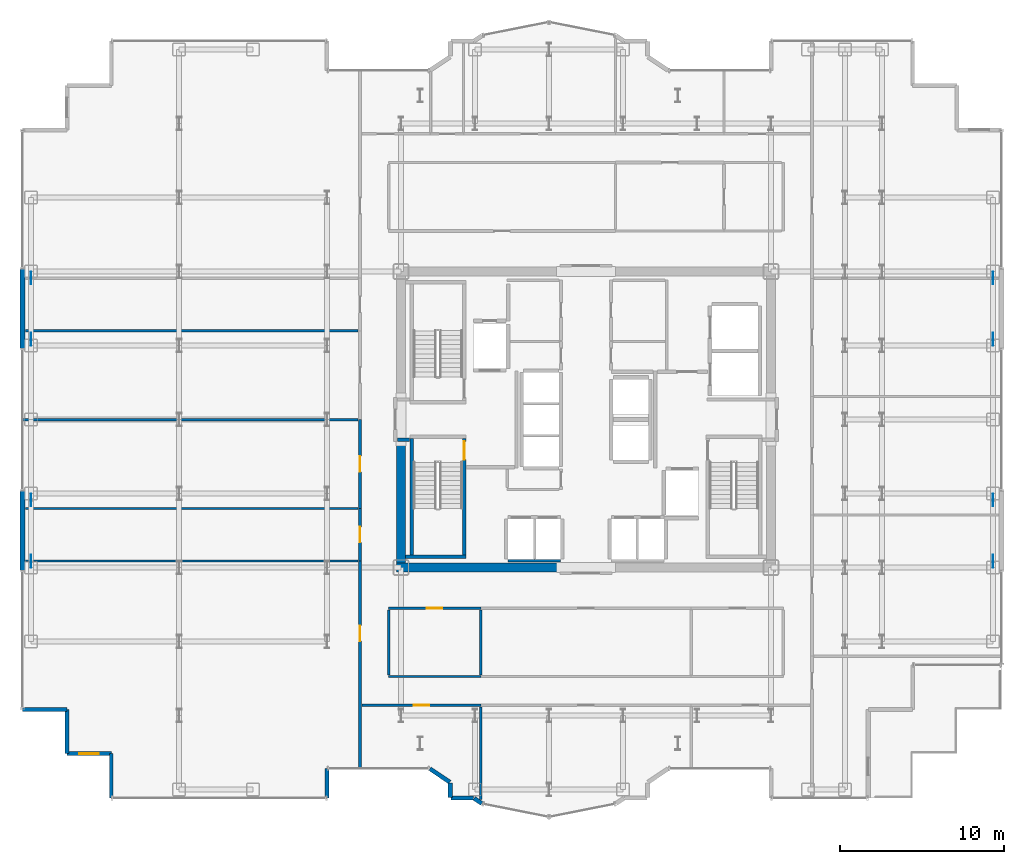
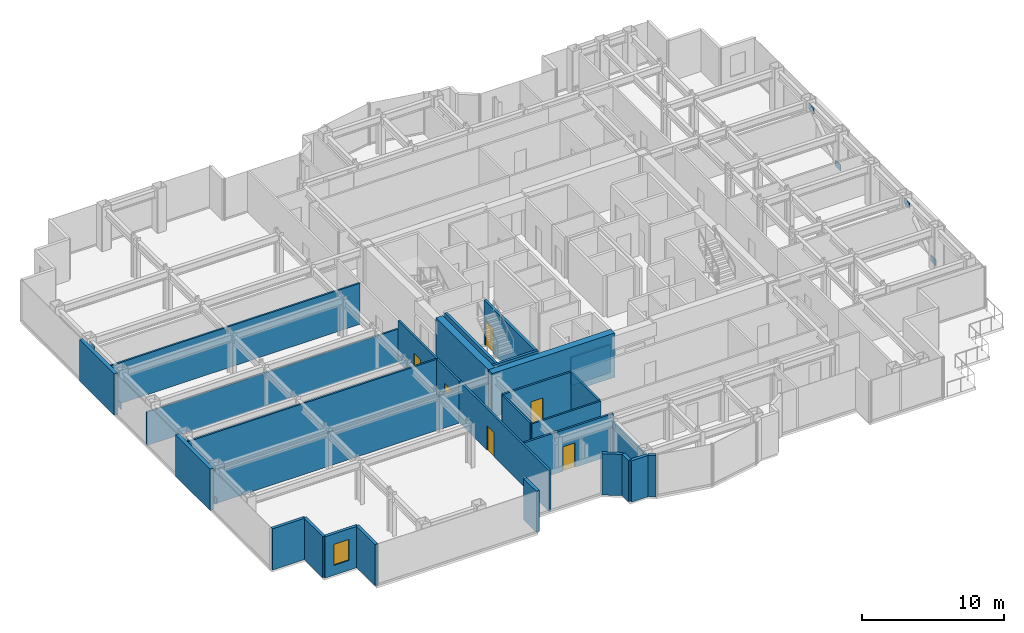
# One storey, part 20 of 27: 31 walls, 8 plates, 6 doors, 1 window, 7 openings.
"""IFC4 building model written with IfcOpenShell, lengths in metres."""

from ifc_helpers import new_model, si_unit, direction, frame, frame_2d, origin, origin_2d, place, context, subcontext, project, spatial, rectangle, extrude, source, transform, mapped, material, layer, layer_set, type_object, element, fill, save


model = new_model("IFC4")

# Units and contexts
model_context = context("Model", 3, precision=1e-05, world=origin(), true_north=direction((0.0, 1.0)))
body_context = subcontext(model_context, "Body", "Model", "MODEL_VIEW")
ifc_project = project(units=[si_unit("LENGTHUNIT", "METRE"), si_unit("AREAUNIT", "SQUARE_METRE"), si_unit("VOLUMEUNIT", "CUBIC_METRE"), si_unit("PLANEANGLEUNIT", "RADIAN"), si_unit("MASSUNIT", "GRAM", prefix="KILO")], contexts=[model_context])

# Site, building, storey
site_placement = place(None, origin())
site = spatial("IfcSite", under=ifc_project, at=site_placement, CompositionType="ELEMENT")
building_placement = place(site_placement, origin())
building = spatial("IfcBuilding", under=site, at=building_placement, Name="Nefas-Gora Pilgrimage Tower", CompositionType="ELEMENT")
storey_placement = place(building_placement, frame((0.0, 0.0, 183.0)))
storey = spatial("IfcBuildingStorey", under=building, at=storey_placement, Name="L45", CompositionType="ELEMENT", Elevation=183.0)

# Plates
ifc_material_1 = material(Name="Steel S460", Category="steel")
ifc_layer_1 = layer(ifc_material_1, 0.050048828125)
ifc_layer_set_1 = layer_set([ifc_layer_1], Name="Steel S460")
plate_type = type_object("IfcPlateType", Name="PLT-NODE-N08", PredefinedType="USERDEFINED", material=ifc_layer_set_1)
shared_shape_1 = source(origin(), body_context, "Body", "SweptSolid", [
    extrude(rectangle(XDim=0.780029296875, YDim=0.0380859375, at=origin_2d()), origin(), (0.0, 0.0, 1.0), 0.5400390625),
])
for number, where, z_axis, x_axis, name in (
    (1, (-33.75, -8.612060546875, 0.157470703125), (0.0, 0.0, 1.0), (0.0, 1.0, 0.0), "Structural Node Gusset Plate N08 (L45)"),
    (2, (-33.75, -4.887939453125, 2.822265625), (0.0, 0.0, 1.0), (0.0, 1.0, 0.0), "Structural Node Gusset Plate N08 (L45)"),
    (3, (-33.75, 4.887939453125, 0.157470703125), (0.0, 0.0, 1.0), (0.0, 1.0, 0.0), "Structural Node Gusset Plate N08 (L45)"),
    (4, (-33.75, 8.612060546875, 2.822265625), (0.0, 0.0, 1.0), (0.0, 1.0, 0.0), "Structural Node Gusset Plate N08 (L45)"),
    (5, (24.75, -8.612060546875, 0.157470703125), (0.0, 0.0, 1.0), (0.0, 1.0, 0.0), "Structural Node Gusset Plate N08 (L45)"),
    (6, (24.75, -4.887939453125, 2.822265625), (0.0, 0.0, 1.0), (0.0, 1.0, 0.0), "Structural Node Gusset Plate N08 (L45)"),
    (7, (24.75, 4.887939453125, 0.157470703125), (0.0, 0.0, 1.0), (0.0, 1.0, 0.0), "Structural Node Gusset Plate N08 (L45)"),
    (8, (24.75, 8.612060546875, 2.822265625), (0.0, 0.0, 1.0), (0.0, 1.0, 0.0), "Structural Node Gusset Plate N08 (L45)"),
):
    element("IfcPlate", number, at=place(storey_placement, frame(where, z_axis=z_axis, x_axis=x_axis)), inside=storey, type_object=plate_type, Name=name, ObjectType="GUSSET_PLATE", PredefinedType="USERDEFINED", context=body_context, shape_type="MappedRepresentation", body=[
        mapped(shared_shape_1, transform((0.0, 0.0, 0.0), x_axis=(1.0, 0.0, 0.0), y_axis=(0.0, 1.0, 0.0), z_axis=(0.0, 0.0, 1.0), scale=1.0)),
    ])

# Walls
ifc_material_2 = material(Name="Concrete C60/75", Category="concrete")
ifc_layer_2 = layer(ifc_material_2, 0.550048828125)
ifc_layer_set_2 = layer_set([ifc_layer_2], Name="Concrete C60/75")
wall_type_1 = type_object("IfcWallType", Name="SW-CORE-550", PredefinedType="SHEAR", material=ifc_layer_set_2)
shared_shape_2 = source(origin(), body_context, "Body", "SweptSolid", [
    extrude(rectangle(XDim=9.974853515625, YDim=0.550048828125, at=frame_2d((4.9873046875, 0.0))), origin(), (0.0, 0.0, 1.0), 3.800048828125),
])
wall_1_placement = place(storey_placement, frame((-11.52490234375, -9.0, 0.0), z_axis=(0.0, 0.0, 1.0), x_axis=(1.0, 0.0, 0.0)))
element("IfcWall", 9, at=wall_1_placement, inside=storey, type_object=wall_type_1, Name="L45 Core Shear Wall S-West", PredefinedType="SHEAR", context=body_context, shape_type="MappedRepresentation", body=[
    mapped(shared_shape_2, transform((0.0, 0.0, 0.0), x_axis=(1.0, 0.0, 0.0), y_axis=(0.0, 1.0, 0.0), z_axis=(0.0, 0.0, 1.0), scale=1.0)),
])
shared_shape_3 = source(origin(), body_context, "Body", "SweptSolid", [
    extrude(rectangle(XDim=7.375, YDim=0.550048828125, at=frame_2d((3.6875, 0.0))), origin(), (0.0, 0.0, 1.0), 3.800048828125),
])
wall_2_placement = place(storey_placement, frame((-11.25, -8.72509765625, 0.0), z_axis=(0.0, 0.0, 1.0), x_axis=(0.0, 1.0, 0.0)))
element("IfcWall", 10, at=wall_2_placement, inside=storey, type_object=wall_type_1, Name="L45 Core Shear Wall W-South", PredefinedType="SHEAR", context=body_context, shape_type="MappedRepresentation", body=[
    mapped(shared_shape_3, transform((0.0, 0.0, 0.0), x_axis=(1.0, 0.0, 0.0), y_axis=(0.0, 1.0, 0.0), z_axis=(0.0, 0.0, 1.0), scale=1.0)),
])
ifc_material_3 = material(Name="Precast concrete C45/55", Category="concrete")
ifc_layer_3 = layer(ifc_material_3, 0.239990234375)
ifc_layer_set_3 = layer_set([ifc_layer_3], Name="Precast concrete C45/55")
wall_type_2 = type_object("IfcWallType", Name="EW-SERR-240", PredefinedType="SHEAR", material=ifc_layer_set_3)
shared_shape_4 = source(origin(), body_context, "Body", "SweptSolid", [
    extrude(rectangle(XDim=4.8798828125, YDim=0.300048828125, at=frame_2d((2.43994140625, 0.0))), origin(), (0.0, 0.0, 1.0), 3.550048828125),
])
for number, where, z_axis, x_axis, name in (
    (11, (-34.27001953125, -9.18994140625, 0.0), (0.0, 0.0, 1.0), (0.0, 1.0, 0.0), "L45 Braced-Tube Precast Shear Cladding 1"),
    (12, (-34.27001953125, 4.31005859375, 0.0), (0.0, 0.0, 1.0), (0.0, 1.0, 0.0), "L45 Braced-Tube Precast Shear Cladding 2"),
):
    element("IfcWall", number, at=place(storey_placement, frame(where, z_axis=z_axis, x_axis=x_axis)), inside=storey, type_object=wall_type_2, Name=name, PredefinedType="SHEAR", context=body_context, shape_type="MappedRepresentation", body=[
        mapped(shared_shape_4, transform((0.0, 0.0, 0.0), x_axis=(1.0, 0.0, 0.0), y_axis=(0.0, 1.0, 0.0), z_axis=(0.0, 0.0, 1.0), scale=1.0)),
    ])
ifc_material_4 = material(Name="Precast concrete C40/50", Category="concrete")
ifc_layer_4 = layer(ifc_material_4, 0.260009765625)
ifc_layer_set_4 = layer_set([ifc_layer_4], Name="Precast concrete C40/50")
wall_type_3 = type_object("IfcWallType", Name="EW-PORTAL-260", PredefinedType="SOLIDWALL", material=ifc_layer_set_4)
shared_shape_5 = source(origin(), body_context, "Body", "SweptSolid", [
    extrude(rectangle(XDim=1.800048828125, YDim=0.260009765625, at=frame_2d((0.89990234375, 0.0))), origin(), (0.0, 0.0, 1.0), 3.550048828125),
])
wall_3_placement = place(storey_placement, frame((-15.75, -23.02001953125, 0.0), z_axis=(0.0, 0.0, 1.0), x_axis=(0.0, 1.0, 0.0)))
element("IfcWall", 13, at=wall_3_placement, inside=storey, type_object=wall_type_3, Name="L45 Lobe Shoulder Precast Spandrel Pier 31", PredefinedType="SOLIDWALL", context=body_context, shape_type="MappedRepresentation", body=[
    mapped(shared_shape_5, transform((0.0, 0.0, 0.0), x_axis=(1.0, 0.0, 0.0), y_axis=(0.0, 1.0, 0.0), z_axis=(0.0, 0.0, 1.0), scale=1.0)),
])
shared_shape_6 = source(origin(), body_context, "Body", "SweptSolid", [
    extrude(rectangle(XDim=2.699951171875, YDim=0.239990234375, at=frame_2d((1.35009765625, 0.0))), origin(), (0.0, 0.0, 1.0), 3.550048828125),
])
for number, where, z_axis, x_axis, name in (
    (14, (-34.27001953125, -17.6201171875, 0.0), (0.0, 0.0, 1.0), (1.0, 0.0, 0.0), "L45 Serrated Corner Shear Pier Wall 27"),
    (15, (-31.570068359375, -17.6201171875, 0.0), (0.0, 0.0, 1.0), (0.0, -1.0, 0.0), "L45 Serrated Corner Shear Pier Wall 28"),
):
    element("IfcWall", number, at=place(storey_placement, frame(where, z_axis=z_axis, x_axis=x_axis)), inside=storey, type_object=wall_type_2, Name=name, PredefinedType="SHEAR", context=body_context, shape_type="MappedRepresentation", body=[
        mapped(shared_shape_6, transform((0.0, 0.0, 0.0), x_axis=(1.0, 0.0, 0.0), y_axis=(0.0, 1.0, 0.0), z_axis=(0.0, 0.0, 1.0), scale=1.0)),
    ])

# Wall, opening, window
wall_4_placement = place(storey_placement, frame((-31.570068359375, -20.320068359375, 0.0), z_axis=(0.0, 0.0, 1.0), x_axis=(1.0, 0.0, 0.0)))
wall_4 = element("IfcWall", 16, at=wall_4_placement, inside=storey, type_object=wall_type_2, Name="L45 Serrated Corner Shear Pier Wall 29", PredefinedType="SHEAR", context=body_context, shape_type="MappedRepresentation", body=[
    mapped(shared_shape_6, transform((0.0, 0.0, 0.0), x_axis=(1.0, 0.0, 0.0), y_axis=(0.0, 1.0, 0.0), z_axis=(0.0, 0.0, 1.0), scale=1.0)),
])
opening_1_placement = place(wall_4_placement, frame((0.75, 0.0, 0.85009765625)))
opening_1 = element("IfcOpeningElement", 17, at=opening_1_placement, cuts=wall_4, Name="Opening W-V1", PredefinedType="OPENING", context=body_context, shape_type="SweptSolid", body=[
    extrude(rectangle(XDim=1.199951171875, YDim=1.800048828125, at=frame_2d((0.60009765625, 0.89990234375))), frame((0.0, 0.1298828125, 0.0), z_axis=(0.0, -1.0, 0.0), x_axis=(1.0, 0.0, 0.0)), (0.0, 0.0, 1.0), 0.260009765625),
])
ifc_material_5 = material(Name="Dark ceramic-fritted operable aluminium-glass window", Category="aluminium")
window_type = type_object("IfcWindowType", Name="WIN-VENT-1200x1800", PartitioningType="SINGLE_PANEL", PredefinedType="WINDOW", material=ifc_material_5)
shared_shape_7 = source(origin(), body_context, "Body", "SweptSolid", [
    extrude(rectangle(XDim=1.199951171875, YDim=1.800048828125, at=frame_2d((0.60009765625, 0.89990234375))), frame((0.0, 0.030029296875, 0.0), z_axis=(0.0, -1.0, 0.0), x_axis=(1.0, 0.0, 0.0)), (0.0, 0.0, 1.0), 0.06005859375),
])
window_placement = place(opening_1_placement, origin())
window = element("IfcWindow", 18, at=window_placement, inside=storey, type_object=window_type, Name="L45 Operable Parallel-Outswing Window 29", OverallHeight=1.800048828125, OverallWidth=1.199951171875, PartitioningType="SINGLE_PANEL", PredefinedType="WINDOW", context=body_context, shape_type="MappedRepresentation", body=[
    mapped(shared_shape_7, transform((0.0, 0.0, 0.0), x_axis=(1.0, 0.0, 0.0), y_axis=(0.0, 1.0, 0.0), z_axis=(0.0, 0.0, 1.0), scale=1.0)),
])
fill(opening_1, window)

# Walls
wall_5_placement = place(storey_placement, frame((-28.8701171875, -20.320068359375, 0.0), z_axis=(0.0, 0.0, 1.0), x_axis=(0.0, -1.0, 0.0)))
element("IfcWall", 19, at=wall_5_placement, inside=storey, type_object=wall_type_2, Name="L45 Serrated Corner Shear Pier Wall 30", PredefinedType="SHEAR", context=body_context, shape_type="MappedRepresentation", body=[
    mapped(shared_shape_6, transform((0.0, 0.0, 0.0), x_axis=(1.0, 0.0, 0.0), y_axis=(0.0, 1.0, 0.0), z_axis=(0.0, 0.0, 1.0), scale=1.0)),
])
shared_shape_8 = source(origin(), body_context, "Body", "SweptSolid", [
    extrude(rectangle(XDim=1.468994140625, YDim=0.260009765625, at=frame_2d((0.734375, 0.0))), origin(), (0.0, 0.0, 1.0), 3.550048828125),
])
wall_6_placement = place(storey_placement, frame((-9.49462890625, -21.235595703125, 0.0), z_axis=(0.0, 0.0, 1.0), x_axis=(0.831461760506, -0.555581983884, 0.0)))
element("IfcWall", 20, at=wall_6_placement, inside=storey, type_object=wall_type_3, Name="L45 Lobe Shoulder Precast Spandrel Pier 32", PredefinedType="SOLIDWALL", context=body_context, shape_type="MappedRepresentation", body=[
    mapped(shared_shape_8, transform((0.0, 0.0, 0.0), x_axis=(1.0, 0.0, 0.0), y_axis=(0.0, 1.0, 0.0), z_axis=(0.0, 0.0, 1.0), scale=1.0)),
])
shared_shape_9 = source(origin(), body_context, "Body", "SweptSolid", [
    extrude(rectangle(XDim=0.896728515625, YDim=0.260009765625, at=frame_2d((0.4482421875, 0.0))), origin(), (0.0, 0.0, 1.0), 3.550048828125),
])
wall_7_placement = place(storey_placement, frame((-8.25, -22.09521484375, 0.0), z_axis=(0.0, 0.0, 1.0), x_axis=(0.0, -1.0, 0.0)))
element("IfcWall", 21, at=wall_7_placement, inside=storey, type_object=wall_type_3, Name="L45 Lobe Shoulder Precast Spandrel Pier 33", PredefinedType="SOLIDWALL", context=body_context, shape_type="MappedRepresentation", body=[
    mapped(shared_shape_9, transform((0.0, 0.0, 0.0), x_axis=(1.0, 0.0, 0.0), y_axis=(0.0, 1.0, 0.0), z_axis=(0.0, 0.0, 1.0), scale=1.0)),
])
shared_shape_10 = source(origin(), body_context, "Body", "SweptSolid", [
    extrude(rectangle(XDim=1.369873046875, YDim=0.260009765625, at=frame_2d((0.68505859375, 0.0))), origin(), (0.0, 0.0, 1.0), 3.550048828125),
])
wall_8_placement = place(storey_placement, frame((-8.221923828125, -23.02001953125, 0.0), z_axis=(0.0, 0.0, 1.0), x_axis=(1.0, 0.0, 0.0)))
element("IfcWall", 22, at=wall_8_placement, inside=storey, type_object=wall_type_3, Name="L45 Lobe Shoulder Precast Spandrel Pier 34", PredefinedType="SOLIDWALL", context=body_context, shape_type="MappedRepresentation", body=[
    mapped(shared_shape_10, transform((0.0, 0.0, 0.0), x_axis=(1.0, 0.0, 0.0), y_axis=(0.0, 1.0, 0.0), z_axis=(0.0, 0.0, 1.0), scale=1.0)),
])
shared_shape_11 = source(origin(), body_context, "Body", "SweptSolid", [
    extrude(rectangle(XDim=0.5654296875, YDim=0.260009765625, at=frame_2d((0.28271484375, 0.0))), origin(), (0.0, 0.0, 1.0), 3.550048828125),
])
wall_9_placement = place(storey_placement, frame((-6.80078125, -23.03564453125, 0.0), z_axis=(0.0, 0.0, 1.0), x_axis=(0.831651492666, -0.555297933317, 0.0)))
element("IfcWall", 23, at=wall_9_placement, inside=storey, type_object=wall_type_3, Name="L45 Lobe Shoulder Precast Spandrel Pier 35", PredefinedType="SOLIDWALL", context=body_context, shape_type="MappedRepresentation", body=[
    mapped(shared_shape_11, transform((0.0, 0.0, 0.0), x_axis=(1.0, 0.0, 0.0), y_axis=(0.0, 1.0, 0.0), z_axis=(0.0, 0.0, 1.0), scale=1.0)),
])
ifc_material_6 = material(Name="Concrete C45/55", Category="concrete")
ifc_layer_5 = layer(ifc_material_6, 0.199951171875)
ifc_layer_set_5 = layer_set([ifc_layer_5], Name="Concrete C45/55")
wall_type_4 = type_object("IfcWallType", Name="IW-STAIR-200", PredefinedType="SOLIDWALL", material=ifc_layer_set_5)
shared_shape_12 = source(origin(), body_context, "Body", "SweptSolid", [
    extrude(rectangle(XDim=7.10009765625, YDim=0.199951171875, at=frame_2d((3.550048828125, 0.0))), origin(), (0.0, 0.0, 1.0), 3.800048828125),
])
wall_10_placement = place(storey_placement, frame((-10.60009765625, -1.14990234375, 0.0), z_axis=(0.0, 0.0, 1.0), x_axis=(0.0, -1.0, 0.0)))
element("IfcWall", 24, at=wall_10_placement, inside=storey, type_object=wall_type_4, Name="L45 Stairwell Shear Wall ST-03-left", PredefinedType="SOLIDWALL", context=body_context, shape_type="MappedRepresentation", body=[
    mapped(shared_shape_12, transform((0.0, 0.0, 0.0), x_axis=(1.0, 0.0, 0.0), y_axis=(0.0, 1.0, 0.0), z_axis=(0.0, 0.0, 1.0), scale=1.0)),
])

# Wall, opening, door
wall_11_placement = place(storey_placement, frame((-7.39990234375, -1.14990234375, 0.0), z_axis=(0.0, 0.0, 1.0), x_axis=(0.0, -1.0, 0.0)))
wall_11 = element("IfcWall", 25, at=wall_11_placement, inside=storey, type_object=wall_type_4, Name="L45 Stairwell Shear Wall ST-03-right", PredefinedType="SOLIDWALL", context=body_context, shape_type="MappedRepresentation", body=[
    mapped(shared_shape_12, transform((0.0, 0.0, 0.0), x_axis=(1.0, 0.0, 0.0), y_axis=(0.0, 1.0, 0.0), z_axis=(0.0, 0.0, 1.0), scale=1.0)),
])
opening_2_placement = place(wall_11_placement, frame((0.179931640625, 0.0, 0.0)))
opening_2 = element("IfcOpeningElement", 26, at=opening_2_placement, cuts=wall_11, Name="Opening ID-ST1", PredefinedType="OPENING", context=body_context, shape_type="SweptSolid", body=[
    extrude(rectangle(XDim=1.10009765625, YDim=2.14990234375, at=frame_2d((0.550048828125, 1.074951171875))), frame((0.0, 0.10986328125, 0.0), z_axis=(0.0, -1.0, 0.0), x_axis=(1.0, 0.0, 0.0)), (0.0, 0.0, 1.0), 0.219970703125),
])
ifc_material_7 = material(Name="Painted galvanised steel fire stair door", Category="steel")
door_type_1 = type_object("IfcDoorType", Name="DR-INT-STAIR-1100", OperationType="NOTDEFINED", PredefinedType="DOOR", material=ifc_material_7)
shared_shape_13 = source(origin(), body_context, "Body", "SweptSolid", [
    extrude(rectangle(XDim=1.10009765625, YDim=2.14990234375, at=frame_2d((0.550048828125, 1.074951171875))), frame((0.0, 0.02490234375, 0.0), z_axis=(0.0, -1.0, 0.0), x_axis=(1.0, 0.0, 0.0)), (0.0, 0.0, 1.0), 0.050048828125),
])
door_1_placement = place(opening_2_placement, origin())
door_1 = element("IfcDoor", 27, at=door_1_placement, inside=storey, type_object=door_type_1, Name="L45 Protected Exit Stair Door ST-03", OperationType="SINGLE_SWING_LEFT", OverallHeight=2.14990234375, OverallWidth=1.10009765625, PredefinedType="DOOR", context=body_context, shape_type="MappedRepresentation", body=[
    mapped(shared_shape_13, transform((0.0, 0.0, 0.0), x_axis=(1.0, 0.0, 0.0), y_axis=(0.0, 1.0, 0.0), z_axis=(0.0, 0.0, 1.0), scale=1.0)),
])
fill(opening_2, door_1)

# Walls
shared_shape_14 = source(origin(), body_context, "Body", "SweptSolid", [
    extrude(rectangle(XDim=3.679931640625, YDim=0.199951171875, at=frame_2d((1.83984375, 0.0))), origin(), (0.0, 0.0, 1.0), 3.800048828125),
])
wall_12_placement = place(storey_placement, frame((-10.97998046875, -8.35009765625, 0.0), z_axis=(0.0, 0.0, 1.0), x_axis=(1.0, 0.0, 0.0)))
element("IfcWall", 28, at=wall_12_placement, inside=storey, type_object=wall_type_4, Name="L45 Stairwell Shear Wall ST-03-far", PredefinedType="SOLIDWALL", context=body_context, shape_type="MappedRepresentation", body=[
    mapped(shared_shape_14, transform((0.0, 0.0, 0.0), x_axis=(1.0, 0.0, 0.0), y_axis=(0.0, 1.0, 0.0), z_axis=(0.0, 0.0, 1.0), scale=1.0)),
])
ifc_material_8 = material(Name="Gypsum acoustic stud partition")
ifc_layer_6 = layer(ifc_material_8, 0.159912109375)
ifc_layer_set_6 = layer_set([ifc_layer_6], Name="Gypsum acoustic stud partition")
wall_type_5 = type_object("IfcWallType", Name="IW-CORR-160", PredefinedType="PARTITIONING", material=ifc_layer_set_6)
shared_shape_15 = source(origin(), body_context, "Body", "SweptSolid", [
    extrude(rectangle(XDim=3.199951171875, YDim=0.159912109375, at=frame_2d((1.60009765625, 0.0))), origin(), (0.0, 0.0, 1.0), 2.425048828125),
])
wall_13_placement = place(storey_placement, frame((-4.75, -8.580078125, 0.0), z_axis=(0.0, 0.0, 1.0), x_axis=(1.0, 0.0, 0.0)))
element("IfcWall", 29, at=wall_13_placement, inside=storey, type_object=wall_type_5, Name="L45 Hoistway Wall PL2-W-S", PredefinedType="PARTITIONING", context=body_context, shape_type="MappedRepresentation", body=[
    mapped(shared_shape_15, transform((0.0, 0.0, 0.0), x_axis=(1.0, 0.0, 0.0), y_axis=(0.0, 1.0, 0.0), z_axis=(0.0, 0.0, 1.0), scale=1.0)),
])
ifc_material_9 = material(Name="Gypsum fire-rated shaftwall")
ifc_layer_7 = layer(ifc_material_9, 0.199951171875)
ifc_layer_set_7 = layer_set([ifc_layer_7], Name="Gypsum fire-rated shaftwall")
wall_type_6 = type_object("IfcWallType", Name="IW-FFLOB-200", PredefinedType="PARTITIONING", material=ifc_layer_set_7)
shared_shape_16 = source(origin(), body_context, "Body", "SweptSolid", [
    extrude(rectangle(XDim=0.719970703125, YDim=0.199951171875, at=frame_2d((0.35986328125, 0.0))), origin(), (0.0, 0.0, 1.0), 3.534912109375),
])
wall_14_placement = place(storey_placement, frame((-11.4599609375, -1.219970703125, 0.0), z_axis=(0.0, 0.0, 1.0), x_axis=(1.0, 0.0, 0.0)))
element("IfcWall", 30, at=wall_14_placement, inside=storey, type_object=wall_type_6, Name="L45 FF Lobby West Throat S Wall 8", PredefinedType="PARTITIONING", context=body_context, shape_type="MappedRepresentation", body=[
    mapped(shared_shape_16, transform((0.0, 0.0, 0.0), x_axis=(1.0, 0.0, 0.0), y_axis=(0.0, 1.0, 0.0), z_axis=(0.0, 0.0, 1.0), scale=1.0)),
])
ifc_material_10 = material(Name="Gypsum twin-stud partition")
ifc_layer_8 = layer(ifc_material_10, 0.139892578125)
ifc_layer_set_8 = layer_set([ifc_layer_8], Name="Gypsum twin-stud partition")
wall_type_7 = type_object("IfcWallType", Name="IW-UNIT-140", PredefinedType="PARTITIONING", material=ifc_layer_set_8)
shared_shape_17 = source(origin(), body_context, "Body", "SweptSolid", [
    extrude(rectangle(XDim=20.219970703125, YDim=0.139892578125, at=frame_2d((10.10986328125, 0.0))), origin(), (0.0, 0.0, 1.0), 3.534912109375),
])
for number, where, z_axis, x_axis, name in (
    (31, (-34.080078125, -5.405029296875, 0.0), (0.0, 0.0, 1.0), (1.0, 0.0, 0.0), "L45 Pilgrim Floor Concierge Foyer Partition Wall 35"),
    (32, (-34.080078125, 5.39501953125, 0.0), (0.0, 0.0, 1.0), (1.0, 0.0, 0.0), "L45 Pilgrim Tea and Beverage Pantry Partition Wall 39"),
):
    element("IfcWall", number, at=place(storey_placement, frame(where, z_axis=z_axis, x_axis=x_axis)), inside=storey, type_object=wall_type_7, Name=name, PredefinedType="PARTITIONING", context=body_context, shape_type="MappedRepresentation", body=[
        mapped(shared_shape_17, transform((0.0, 0.0, 0.0), x_axis=(1.0, 0.0, 0.0), y_axis=(0.0, 1.0, 0.0), z_axis=(0.0, 0.0, 1.0), scale=1.0)),
    ])

# Wall, opening, door
shared_shape_18 = source(origin(), body_context, "Body", "SweptSolid", [
    extrude(rectangle(XDim=12.64501953125, YDim=0.159912109375, at=frame_2d((6.322509765625, 0.0))), origin(), (0.0, 0.0, 1.0), 3.534912109375),
])
wall_15_placement = place(storey_placement, frame((-13.739990234375, -21.239990234375, 0.0), z_axis=(0.0, 0.0, 1.0), x_axis=(0.0, 1.0, 0.0)))
wall_15 = element("IfcWall", 33, at=wall_15_placement, inside=storey, type_object=wall_type_5, Name="L45 Pilgrim Floor Concierge Foyer Partition Wall 32", PredefinedType="PARTITIONING", context=body_context, shape_type="MappedRepresentation", body=[
    mapped(shared_shape_18, transform((0.0, 0.0, 0.0), x_axis=(1.0, 0.0, 0.0), y_axis=(0.0, 1.0, 0.0), z_axis=(0.0, 0.0, 1.0), scale=1.0)),
])
opening_3_placement = place(wall_15_placement, frame((7.762451171875, 0.0, 0.0)))
opening_3 = element("IfcOpeningElement", 34, at=opening_3_placement, cuts=wall_15, Name="Opening ID-GR1", PredefinedType="OPENING", context=body_context, shape_type="SweptSolid", body=[
    extrude(rectangle(XDim=0.949951171875, YDim=2.10009765625, at=frame_2d((0.47509765625, 1.050048828125))), frame((0.0, 0.08984375, 0.0), z_axis=(0.0, -1.0, 0.0), x_axis=(1.0, 0.0, 0.0)), (0.0, 0.0, 1.0), 0.179931640625),
])
ifc_material_11 = material(Name="Solid core oak fire-rated guest entrance door")
door_type_2 = type_object("IfcDoorType", Name="DR-INT-GUEST-950", OperationType="NOTDEFINED", PredefinedType="DOOR", material=ifc_material_11)
shared_shape_19 = source(origin(), body_context, "Body", "SweptSolid", [
    extrude(rectangle(XDim=0.949951171875, YDim=2.10009765625, at=frame_2d((0.47509765625, 1.050048828125))), frame((0.0, 0.02490234375, 0.0), z_axis=(0.0, -1.0, 0.0), x_axis=(1.0, 0.0, 0.0)), (0.0, 0.0, 1.0), 0.050048828125),
])
door_2_placement = place(opening_3_placement, origin())
door_2 = element("IfcDoor", 35, at=door_2_placement, inside=storey, type_object=door_type_2, Name="L45 Pilgrim Floor Concierge Foyer Door 13", OperationType="SINGLE_SWING_RIGHT", OverallHeight=2.10009765625, OverallWidth=0.949951171875, PredefinedType="DOOR", context=body_context, shape_type="MappedRepresentation", body=[
    mapped(shared_shape_19, transform((0.0, 0.0, 0.0), x_axis=(1.0, 0.0, 0.0), y_axis=(0.0, 1.0, 0.0), z_axis=(0.0, 0.0, 1.0), scale=1.0)),
])
fill(opening_3, door_2)

shared_shape_20 = source(origin(), body_context, "Body", "SweptSolid", [
    extrude(rectangle(XDim=3.2099609375, YDim=0.159912109375, at=frame_2d((1.60498046875, 0.0))), origin(), (0.0, 0.0, 1.0), 3.534912109375),
])
wall_16_placement = place(storey_placement, frame((-13.739990234375, -8.60498046875, 0.0), z_axis=(0.0, 0.0, 1.0), x_axis=(0.0, 1.0, 0.0)))
wall_16 = element("IfcWall", 36, at=wall_16_placement, inside=storey, type_object=wall_type_5, Name="L45 Pilgrim Floor Concierge Foyer Partition Wall 34", PredefinedType="PARTITIONING", context=body_context, shape_type="MappedRepresentation", body=[
    mapped(shared_shape_20, transform((0.0, 0.0, 0.0), x_axis=(1.0, 0.0, 0.0), y_axis=(0.0, 1.0, 0.0), z_axis=(0.0, 0.0, 1.0), scale=1.0)),
])
opening_4_placement = place(wall_16_placement, frame((1.1298828125, 0.0, 0.0)))
opening_4 = element("IfcOpeningElement", 37, at=opening_4_placement, cuts=wall_16, Name="Opening ID-GR1", PredefinedType="OPENING", context=body_context, shape_type="SweptSolid", body=[
    extrude(rectangle(XDim=0.949951171875, YDim=2.10009765625, at=frame_2d((0.47509765625, 1.050048828125))), frame((0.0, 0.08984375, 0.0), z_axis=(0.0, -1.0, 0.0), x_axis=(1.0, 0.0, 0.0)), (0.0, 0.0, 1.0), 0.179931640625),
])
door_3_placement = place(opening_4_placement, origin())
door_3 = element("IfcDoor", 38, at=door_3_placement, inside=storey, type_object=door_type_2, Name="L45 Pilgrim Floor Concierge Foyer Door 14", OperationType="SINGLE_SWING_LEFT", OverallHeight=2.10009765625, OverallWidth=0.949951171875, PredefinedType="DOOR", context=body_context, shape_type="MappedRepresentation", body=[
    mapped(shared_shape_19, transform((0.0, 0.0, 0.0), x_axis=(1.0, 0.0, 0.0), y_axis=(0.0, 1.0, 0.0), z_axis=(0.0, 0.0, 1.0), scale=1.0)),
])
fill(opening_4, door_3)

shared_shape_21 = source(origin(), body_context, "Body", "SweptSolid", [
    extrude(rectangle(XDim=7.22509765625, YDim=0.159912109375, at=frame_2d((3.612548828125, 0.0))), origin(), (0.0, 0.0, 1.0), 3.534912109375),
])
wall_17_placement = place(storey_placement, frame((-13.6201171875, -17.3701171875, 0.0), z_axis=(0.0, 0.0, 1.0), x_axis=(1.0, 0.0, 0.0)))
wall_17 = element("IfcWall", 39, at=wall_17_placement, inside=storey, type_object=wall_type_5, Name="L45 Pilgrim Contemplative Lounge Partition Wall 68", PredefinedType="PARTITIONING", context=body_context, shape_type="MappedRepresentation", body=[
    mapped(shared_shape_21, transform((0.0, 0.0, 0.0), x_axis=(1.0, 0.0, 0.0), y_axis=(0.0, 1.0, 0.0), z_axis=(0.0, 0.0, 1.0), scale=1.0)),
])
opening_5_placement = place(wall_17_placement, frame((3.137451171875, 0.0, 0.0)))
opening_5 = element("IfcOpeningElement", 40, at=opening_5_placement, cuts=wall_17, Name="Opening ID-GR1", PredefinedType="OPENING", context=body_context, shape_type="SweptSolid", body=[
    extrude(rectangle(XDim=0.949951171875, YDim=2.10009765625, at=frame_2d((0.47509765625, 1.050048828125))), frame((0.0, 0.08984375, 0.0), z_axis=(0.0, -1.0, 0.0), x_axis=(1.0, 0.0, 0.0)), (0.0, 0.0, 1.0), 0.179931640625),
])
door_4_placement = place(opening_5_placement, origin())
door_4 = element("IfcDoor", 41, at=door_4_placement, inside=storey, type_object=door_type_2, Name="L45 Pilgrim Contemplative Lounge Door 31", OperationType="SINGLE_SWING_RIGHT", OverallHeight=2.10009765625, OverallWidth=0.949951171875, PredefinedType="DOOR", context=body_context, shape_type="MappedRepresentation", body=[
    mapped(shared_shape_19, transform((0.0, 0.0, 0.0), x_axis=(1.0, 0.0, 0.0), y_axis=(0.0, 1.0, 0.0), z_axis=(0.0, 0.0, 1.0), scale=1.0)),
])
fill(opening_5, door_4)

# Walls
shared_shape_22 = source(origin(), body_context, "Body", "SweptSolid", [
    extrude(rectangle(XDim=20.219970703125, YDim=0.139892578125, at=frame_2d((10.10986328125, 0.0))), origin(), (0.0, 0.0, 1.0), 2.875),
])
wall_18_placement = place(storey_placement, frame((-34.080078125, -8.60498046875, 0.0), z_axis=(0.0, 0.0, 1.0), x_axis=(1.0, 0.0, 0.0)))
element("IfcWall", 42, at=wall_18_placement, inside=storey, type_object=wall_type_7, Name="L45 Pilgrim Floor Concierge Foyer Partition Wall 33", PredefinedType="PARTITIONING", context=body_context, shape_type="MappedRepresentation", body=[
    mapped(shared_shape_22, transform((0.0, 0.0, 0.0), x_axis=(1.0, 0.0, 0.0), y_axis=(0.0, 1.0, 0.0), z_axis=(0.0, 0.0, 1.0), scale=1.0)),
])
shared_shape_23 = source(origin(), body_context, "Body", "SweptSolid", [
    extrude(rectangle(XDim=20.429931640625, YDim=0.139892578125, at=frame_2d((10.21484375, 0.0))), origin(), (0.0, 0.0, 1.0), 2.875),
])
wall_19_placement = place(storey_placement, frame((-34.2900390625, -0.0048828125, 0.0), z_axis=(0.0, 0.0, 1.0), x_axis=(1.0, 0.0, 0.0)))
element("IfcWall", 43, at=wall_19_placement, inside=storey, type_object=wall_type_7, Name="L45 Pilgrim Floor Concierge Foyer Partition Wall 37", PredefinedType="PARTITIONING", context=body_context, shape_type="MappedRepresentation", body=[
    mapped(shared_shape_23, transform((0.0, 0.0, 0.0), x_axis=(1.0, 0.0, 0.0), y_axis=(0.0, 1.0, 0.0), z_axis=(0.0, 0.0, 1.0), scale=1.0)),
])
shared_shape_24 = source(origin(), body_context, "Body", "SweptSolid", [
    extrude(rectangle(XDim=3.929931640625, YDim=0.139892578125, at=frame_2d((1.96484375, 0.0))), origin(), (0.0, 0.0, 1.0), 3.534912109375),
])
for number, where, z_axis, x_axis, name in (
    (44, (-12.0, -15.52001953125, 0.0), (0.0, 0.0, 1.0), (0.0, 1.0, 0.0), "L45 Pilgrim Contemplative Lounge Partition Wall 72"),
    (45, (-6.405029296875, -15.52001953125, 0.0), (0.0, 0.0, 1.0), (0.0, 1.0, 0.0), "L45 Pilgrim Contemplative Lounge Partition Wall 73"),
):
    element("IfcWall", number, at=place(storey_placement, frame(where, z_axis=z_axis, x_axis=x_axis)), inside=storey, type_object=wall_type_7, Name=name, PredefinedType="PARTITIONING", context=body_context, shape_type="MappedRepresentation", body=[
        mapped(shared_shape_24, transform((0.0, 0.0, 0.0), x_axis=(1.0, 0.0, 0.0), y_axis=(0.0, 1.0, 0.0), z_axis=(0.0, 0.0, 1.0), scale=1.0)),
    ])

# Wall, opening, door
shared_shape_25 = source(origin(), body_context, "Body", "SweptSolid", [
    extrude(rectangle(XDim=5.409912109375, YDim=0.159912109375, at=frame_2d((2.705078125, 0.0))), origin(), (0.0, 0.0, 1.0), 3.534912109375),
])
wall_20_placement = place(storey_placement, frame((-13.739990234375, -5.405029296875, 0.0), z_axis=(0.0, 0.0, 1.0), x_axis=(0.0, 1.0, 0.0)))
wall_20 = element("IfcWall", 46, at=wall_20_placement, inside=storey, type_object=wall_type_5, Name="L45 Pilgrim Floor Concierge Foyer Partition Wall 36", PredefinedType="PARTITIONING", context=body_context, shape_type="MappedRepresentation", body=[
    mapped(shared_shape_25, transform((0.0, 0.0, 0.0), x_axis=(1.0, 0.0, 0.0), y_axis=(0.0, 1.0, 0.0), z_axis=(0.0, 0.0, 1.0), scale=1.0)),
])
opening_6_placement = place(wall_20_placement, frame((2.22998046875, 0.0, 0.0)))
opening_6 = element("IfcOpeningElement", 47, at=opening_6_placement, cuts=wall_20, Name="Opening ID-GR1", PredefinedType="OPENING", context=body_context, shape_type="SweptSolid", body=[
    extrude(rectangle(XDim=0.949951171875, YDim=2.10009765625, at=frame_2d((0.47509765625, 1.050048828125))), frame((0.0, 0.08984375, 0.0), z_axis=(0.0, -1.0, 0.0), x_axis=(1.0, 0.0, 0.0)), (0.0, 0.0, 1.0), 0.179931640625),
])
door_5_placement = place(opening_6_placement, origin())
door_5 = element("IfcDoor", 48, at=door_5_placement, inside=storey, type_object=door_type_2, Name="L45 Pilgrim Floor Concierge Foyer Door 15", OperationType="SINGLE_SWING_RIGHT", OverallHeight=2.10009765625, OverallWidth=0.949951171875, PredefinedType="DOOR", context=body_context, shape_type="MappedRepresentation", body=[
    mapped(shared_shape_19, transform((0.0, 0.0, 0.0), x_axis=(1.0, 0.0, 0.0), y_axis=(0.0, 1.0, 0.0), z_axis=(0.0, 0.0, 1.0), scale=1.0)),
])
fill(opening_6, door_5)

# Wall
shared_shape_26 = source(origin(), body_context, "Body", "SweptSolid", [
    extrude(rectangle(XDim=5.60791015625, YDim=0.139892578125, at=frame_2d((2.803955078125, 0.0))), origin(), (0.0, 0.0, 1.0), 2.875),
])
wall_21_placement = place(storey_placement, frame((-6.405029296875, -23.097900390625, 0.0), z_axis=(0.0, 0.0, 1.0), x_axis=(0.0, 1.0, 0.0)))
element("IfcWall", 49, at=wall_21_placement, inside=storey, type_object=wall_type_7, Name="L45 Pilgrim Contemplative Lounge Partition Wall 69", PredefinedType="PARTITIONING", context=body_context, shape_type="MappedRepresentation", body=[
    mapped(shared_shape_26, transform((0.0, 0.0, 0.0), x_axis=(1.0, 0.0, 0.0), y_axis=(0.0, 1.0, 0.0), z_axis=(0.0, 0.0, 1.0), scale=1.0)),
])

# Wall, opening, door
shared_shape_27 = source(origin(), body_context, "Body", "SweptSolid", [
    extrude(rectangle(XDim=5.614990234375, YDim=0.159912109375, at=frame_2d((2.8076171875, 0.0))), origin(), (0.0, 0.0, 1.0), 3.534912109375),
])
wall_22_placement = place(storey_placement, frame((-12.010009765625, -11.469970703125, 0.0), z_axis=(0.0, 0.0, 1.0), x_axis=(1.0, 0.0, 0.0)))
wall_22 = element("IfcWall", 50, at=wall_22_placement, inside=storey, type_object=wall_type_5, Name="L45 Pilgrim Contemplative Lounge Partition Wall 70", PredefinedType="PARTITIONING", context=body_context, shape_type="MappedRepresentation", body=[
    mapped(shared_shape_27, transform((0.0, 0.0, 0.0), x_axis=(1.0, 0.0, 0.0), y_axis=(0.0, 1.0, 0.0), z_axis=(0.0, 0.0, 1.0), scale=1.0)),
])
opening_7_placement = place(wall_22_placement, frame((2.33251953125, 0.0, 0.0)))
opening_7 = element("IfcOpeningElement", 51, at=opening_7_placement, cuts=wall_22, Name="Opening ID-GR1", PredefinedType="OPENING", context=body_context, shape_type="SweptSolid", body=[
    extrude(rectangle(XDim=0.949951171875, YDim=2.10009765625, at=frame_2d((0.47509765625, 1.050048828125))), frame((0.0, 0.08984375, 0.0), z_axis=(0.0, -1.0, 0.0), x_axis=(1.0, 0.0, 0.0)), (0.0, 0.0, 1.0), 0.179931640625),
])
door_6_placement = place(opening_7_placement, origin())
door_6 = element("IfcDoor", 52, at=door_6_placement, inside=storey, type_object=door_type_2, Name="L45 Pilgrim Contemplative Lounge Door 32", OperationType="SINGLE_SWING_LEFT", OverallHeight=2.10009765625, OverallWidth=0.949951171875, PredefinedType="DOOR", context=body_context, shape_type="MappedRepresentation", body=[
    mapped(shared_shape_19, transform((0.0, 0.0, 0.0), x_axis=(1.0, 0.0, 0.0), y_axis=(0.0, 1.0, 0.0), z_axis=(0.0, 0.0, 1.0), scale=1.0)),
])
fill(opening_7, door_6)

# Wall
shared_shape_28 = source(origin(), body_context, "Body", "SweptSolid", [
    extrude(rectangle(XDim=5.614990234375, YDim=0.139892578125, at=frame_2d((2.8076171875, 0.0))), origin(), (0.0, 0.0, 1.0), 3.534912109375),
])
wall_23_placement = place(storey_placement, frame((-12.010009765625, -15.6298828125, 0.0), z_axis=(0.0, 0.0, 1.0), x_axis=(1.0, 0.0, 0.0)))
element("IfcWall", 53, at=wall_23_placement, inside=storey, type_object=wall_type_7, Name="L45 Pilgrim Contemplative Lounge Partition Wall 71", PredefinedType="PARTITIONING", context=body_context, shape_type="MappedRepresentation", body=[
    mapped(shared_shape_28, transform((0.0, 0.0, 0.0), x_axis=(1.0, 0.0, 0.0), y_axis=(0.0, 1.0, 0.0), z_axis=(0.0, 0.0, 1.0), scale=1.0)),
])

save(model, "model.ifc")
